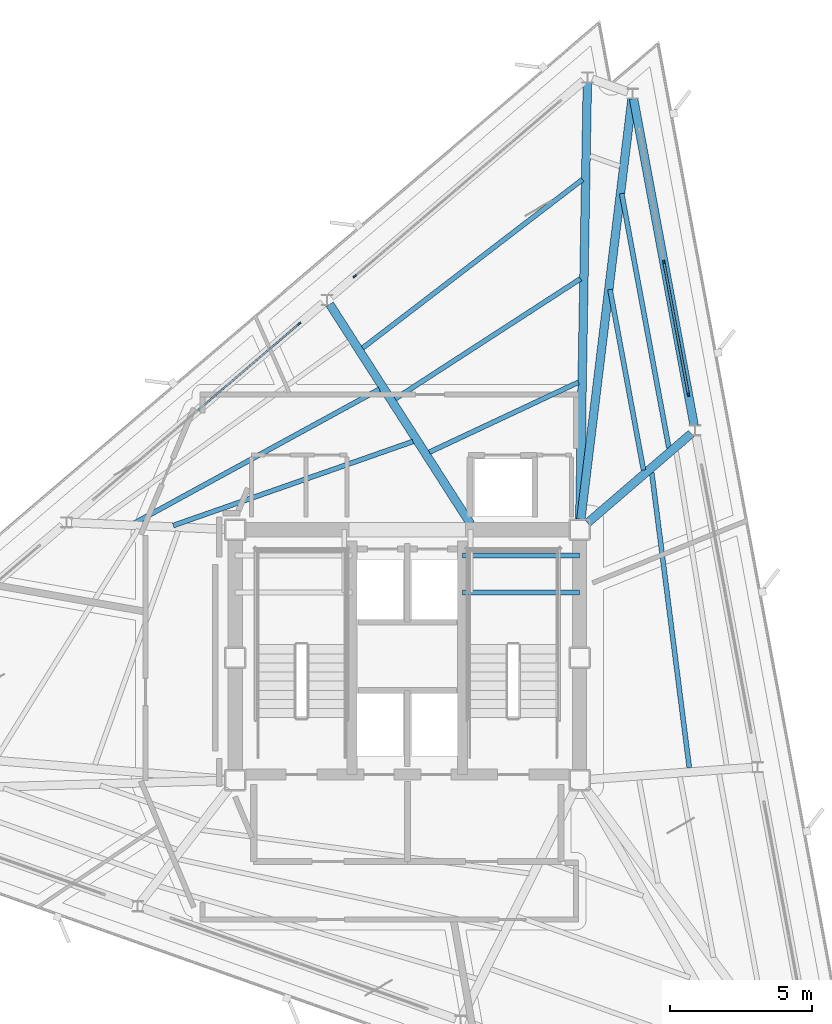
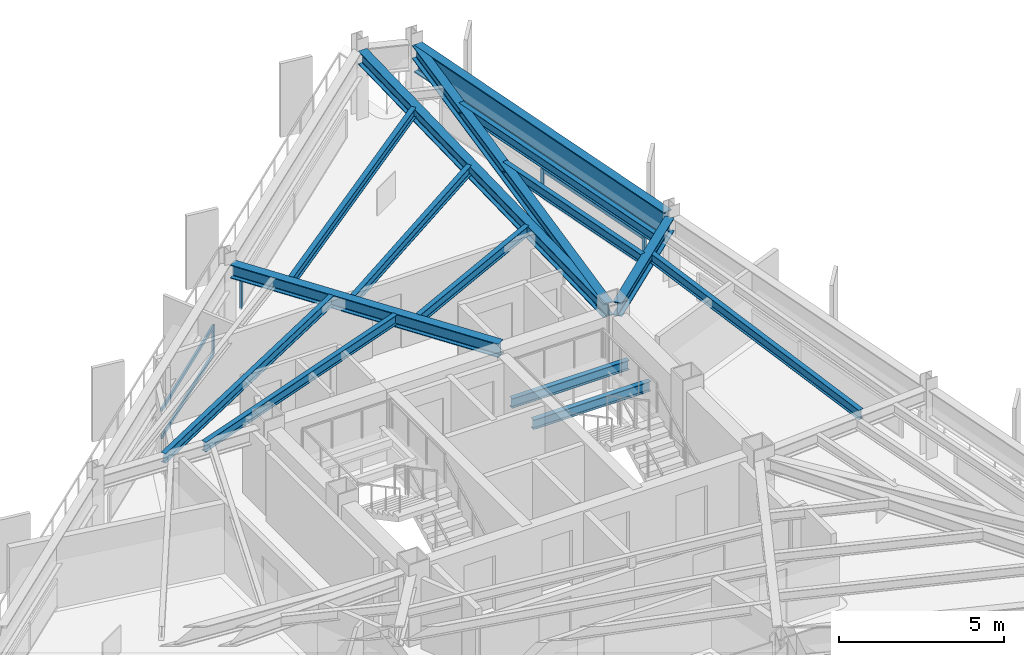
# One storey, part 5 of 14: 15 beams, 8 members, 3 elements without a shape of their own.
"""IFC4 building model written with IfcOpenShell, lengths in metres."""

from ifc_helpers import new_model, si_unit, direction, frame, origin, origin_2d, place, context, subcontext, project, spatial, rectangle, i_section, extrude, material, layer, layer_set, material_profile, profile_set, type_object, element, aggregate, save


model = new_model("IFC4")

# Units and contexts
model_context = context("Model", 3, precision=1e-05, world=origin(), true_north=direction((0.0, 1.0)))
body_context = subcontext(model_context, "Body", "Model", "MODEL_VIEW")
ifc_project = project(units=[si_unit("LENGTHUNIT", "METRE"), si_unit("AREAUNIT", "SQUARE_METRE"), si_unit("VOLUMEUNIT", "CUBIC_METRE"), si_unit("PLANEANGLEUNIT", "RADIAN"), si_unit("MASSUNIT", "GRAM", prefix="KILO")], contexts=[model_context])

# Site, building, storey
site_placement = place(None, origin())
site = spatial("IfcSite", under=ifc_project, at=site_placement, CompositionType="ELEMENT")
building_placement = place(site_placement, origin())
building = spatial("IfcBuilding", under=site, at=building_placement, Name="Rocaltana Carrier Exchange", CompositionType="ELEMENT")
storey_placement = place(building_placement, frame((0.0, 0.0, 190.56005859375)))
storey = spatial("IfcBuildingStorey", under=building, at=storey_placement, Name="L60", CompositionType="ELEMENT", Elevation=190.56005859375)

# Curtain wall, members
ifc_material_1 = material(Name="Aluminium 6063-T6", Category="aluminium")
ifc_layer = layer(ifc_material_1, 0.135009765625)
ifc_layer_set = layer_set([ifc_layer], Name="Aluminium 6063-T6")
curtain_wall_type = type_object("IfcCurtainWallType", Name="Upper-Mid Acoustic Curtain Wall CW-04", PredefinedType="NOTDEFINED", material=ifc_layer_set)
curtain_wall_1_placement = place(storey_placement, origin())
curtain_wall_1 = element("IfcCurtainWall", 1, at=curtain_wall_1_placement, inside=storey, type_object=curtain_wall_type, Name="L60 CW-04 Run CW-L60-F1S3", PredefinedType="NOTDEFINED")
ifc_material_2 = material(Name="Aluminium 6063-T6", Category="aluminium")
ifc_material_profile_1 = material_profile(ifc_material_2, rectangle(XDim=0.06494140625, YDim=0.135009765625, at=origin_2d()), Name="AL-65X135")
ifc_profile_set_1 = profile_set([ifc_material_profile_1], Name="Aluminium 6063-T6")
member_type_1 = type_object("IfcMemberType", Name="CW-04 Mullion AL-65X135", PredefinedType="MULLION", material=ifc_profile_set_1)
member_1_placement = place(storey_placement, frame((9.873046875, 9.25341796875, 0.0), z_axis=(0.0, 0.0, 1.0), x_axis=(-0.983254796134, -0.182236126712, 0.0)))
member_1 = element("IfcMember", 2, at=member_1_placement, type_object=member_type_1, Name="CW-04 mullion 1", PredefinedType="MULLION", context=body_context, shape_type="SweptSolid", body=[
    extrude(rectangle(XDim=0.06494140625, YDim=0.135009765625, at=origin_2d()), origin(), (0.0, 0.0, 1.0), 1.077880859375),
])
member_2_placement = place(storey_placement, frame((9.01025390625, 13.908203125, 0.0), z_axis=(0.0, 0.0, 1.0), x_axis=(-0.983254796134, -0.182236126712, 0.0)))
member_2 = element("IfcMember", 3, at=member_2_placement, type_object=member_type_1, Name="CW-04 mullion 2", PredefinedType="MULLION", context=body_context, shape_type="SweptSolid", body=[
    extrude(rectangle(XDim=0.06494140625, YDim=0.135009765625, at=origin_2d()), origin(), (0.0, 0.0, 1.0), 1.077880859375),
])

# Curtain wall, member
curtain_wall_2_placement = place(storey_placement, origin())
curtain_wall_2 = element("IfcCurtainWall", 4, at=curtain_wall_2_placement, inside=storey, type_object=curtain_wall_type, Name="L60 CW-04 Run CW-L60-F2S1", PredefinedType="NOTDEFINED")
member_3_placement = place(storey_placement, frame((-1.849365234375, 13.404541015625, 0.0), z_axis=(0.0, 0.0, 1.0), x_axis=(0.649447944918, -0.760406053922, 0.0)))
member_3 = element("IfcMember", 5, at=member_3_placement, type_object=member_type_1, Name="CW-04 mullion 3", PredefinedType="MULLION", context=body_context, shape_type="SweptSolid", body=[
    extrude(rectangle(XDim=0.06494140625, YDim=0.135009765625, at=origin_2d()), origin(), (0.0, 0.0, 1.0), 1.077880859375),
])
aggregate(curtain_wall_2, [member_3])

curtain_wall_3_placement = place(storey_placement, origin())
curtain_wall_3 = element("IfcCurtainWall", 6, at=curtain_wall_3_placement, inside=storey, type_object=curtain_wall_type, Name="L60 CW-04 Run CW-L60-F2S2", PredefinedType="NOTDEFINED")
member_4_placement = place(storey_placement, frame((-3.7998046875, 11.73876953125, 0.0), z_axis=(0.0, 0.0, 1.0), x_axis=(0.649454010067, -0.760400873756, 0.0)))
member_4 = element("IfcMember", 7, at=member_4_placement, type_object=member_type_1, Name="CW-04 mullion 1", PredefinedType="MULLION", context=body_context, shape_type="SweptSolid", body=[
    extrude(rectangle(XDim=0.06494140625, YDim=0.135009765625, at=origin_2d()), origin(), (0.0, 0.0, 1.0), 1.077880859375),
])

# Member
ifc_material_3 = material(Name="Aluminium 6063-T6", Category="aluminium")
ifc_material_profile_2 = material_profile(ifc_material_3, rectangle(XDim=0.06494140625, YDim=0.135009765625, at=origin_2d()), Name="AL-65X135")
ifc_profile_set_2 = profile_set([ifc_material_profile_2], Name="Aluminium 6063-T6")
member_type_2 = type_object("IfcMemberType", Name="CW-04 Transom AL-65X135", PredefinedType="USERDEFINED", material=ifc_profile_set_2)
member_5_placement = place(storey_placement, frame((9.866943359375, 9.285400390625, 0.032470703125), z_axis=(-0.182229691605, 0.983255988793, 0.0), x_axis=(-0.983255988793, -0.182229691605, 0.0)))
member_5 = element("IfcMember", 8, at=member_5_placement, type_object=member_type_2, Name="CW-04 transom 1.1", ObjectType="TRANSOM", PredefinedType="USERDEFINED", context=body_context, shape_type="SweptSolid", body=[
    extrude(rectangle(XDim=0.06494140625, YDim=0.135009765625, at=origin_2d()), origin(), (0.0, 0.0, 1.0), 4.6689453125),
])

member_6_placement = place(storey_placement, frame((9.866943359375, 9.285400390625, 1.04541015625), z_axis=(-0.182229691605, 0.983255988793, 0.0), x_axis=(-0.983255988793, -0.182229691605, 0.0)))
member_6 = element("IfcMember", 9, at=member_6_placement, type_object=member_type_2, Name="CW-04 transom 1.2", ObjectType="TRANSOM", PredefinedType="USERDEFINED", context=body_context, shape_type="SweptSolid", body=[
    extrude(rectangle(XDim=0.06494140625, YDim=0.135009765625, at=origin_2d()), origin(), (0.0, 0.0, 1.0), 4.6689453125),
])

aggregate(curtain_wall_1, [member_1, member_2, member_5, member_6])

member_7_placement = place(storey_placement, frame((-3.82470703125, 11.717529296875, 0.032470703125), z_axis=(-0.760381209804, -0.649477032525, 0.0), x_axis=(0.649477032525, -0.760381209804, 0.0)))
member_7 = element("IfcMember", 10, at=member_7_placement, type_object=member_type_2, Name="CW-04 transom 1.1", ObjectType="TRANSOM", PredefinedType="USERDEFINED", context=body_context, shape_type="SweptSolid", body=[
    extrude(rectangle(XDim=0.06494140625, YDim=0.135009765625, at=origin_2d()), origin(), (0.0, 0.0, 1.0), 4.669189453125),
])

member_8_placement = place(storey_placement, frame((-3.82470703125, 11.717529296875, 1.04541015625), z_axis=(-0.760381209804, -0.649477032525, 0.0), x_axis=(0.649477032525, -0.760381209804, 0.0)))
member_8 = element("IfcMember", 11, at=member_8_placement, type_object=member_type_2, Name="CW-04 transom 1.2", ObjectType="TRANSOM", PredefinedType="USERDEFINED", context=body_context, shape_type="SweptSolid", body=[
    extrude(rectangle(XDim=0.06494140625, YDim=0.135009765625, at=origin_2d()), origin(), (0.0, 0.0, 1.0), 4.669189453125),
])

aggregate(curtain_wall_3, [member_4, member_7, member_8])

# Beams
ifc_material_4 = material(Name="Steel S355", Category="steel")
ifc_material_profile_3 = material_profile(ifc_material_4, i_section(OverallWidth=0.172119140625, OverallDepth=0.35791015625, WebThickness=0.0078125, FlangeThickness=0.01318359375, FilletRadius=0.011962890625, at=origin_2d()), Name="W14X38")
ifc_profile_set_3 = profile_set([ifc_material_profile_3], Name="Steel S355")
beam_type_1 = type_object("IfcBeamType", Name="Floor Joist W14X38", PredefinedType="JOIST", material=ifc_profile_set_3)
for number, where, z_axis, x_axis, name in (
    (12, (1.93994140625, 2.300048828125, 1.140869140625), (1.0, 0.0, 0.0), (0.0, 1.0, 0.0), "L60 ST-2 Landing Carrier 1"),
    (13, (1.93994140625, 3.60009765625, 1.140869140625), (1.0, 0.0, 0.0), (0.0, 1.0, 0.0), "L60 ST-2 Landing Carrier 2"),
):
    element("IfcBeam", number, at=place(storey_placement, frame(where, z_axis=z_axis, x_axis=x_axis)), inside=storey, type_object=beam_type_1, Name=name, PredefinedType="JOIST", context=body_context, shape_type="SweptSolid", body=[
        extrude(i_section(OverallWidth=0.172119140625, OverallDepth=0.35791015625, WebThickness=0.0078125, FlangeThickness=0.01318359375, FilletRadius=0.011962890625, at=origin_2d()), origin(), (0.0, 0.0, 1.0), 4.110107421875),
    ])
beam_1_placement = place(storey_placement, frame((9.906494140625, -3.87158203125, 2.43896484375), z_axis=(-0.126288464716, 0.991993560301, 0.0), x_axis=(-0.991993560301, -0.126288464716, 0.0)))
element("IfcBeam", 14, at=beam_1_placement, inside=storey, type_object=beam_type_1, Name="FJ-L60-02-2", PredefinedType="JOIST", context=body_context, shape_type="SweptSolid", body=[
    extrude(i_section(OverallWidth=0.172119140625, OverallDepth=0.35791015625, WebThickness=0.0078125, FlangeThickness=0.01318359375, FilletRadius=0.011962890625, at=origin_2d()), origin(), (0.0, 0.0, 1.0), 10.47802734375),
])
beam_2_placement = place(storey_placement, frame((8.29541015625, 6.597412109375, 2.43896484375), z_axis=(-0.182201749781, 0.983261166922, 0.0), x_axis=(-0.983261166922, -0.182201749781, 0.0)))
element("IfcBeam", 15, at=beam_2_placement, inside=storey, type_object=beam_type_1, Name="FJ-L60-03-2", PredefinedType="JOIST", context=body_context, shape_type="SweptSolid", body=[
    extrude(i_section(OverallWidth=0.172119140625, OverallDepth=0.35791015625, WebThickness=0.0078125, FlangeThickness=0.01318359375, FilletRadius=0.011962890625, at=origin_2d()), origin(), (0.0, 0.0, 1.0), 6.450439453125),
])
beam_3_placement = place(storey_placement, frame((9.18798828125, 7.365478515625, 2.43896484375), z_axis=(-0.18223051112, 0.98325583691, 0.0), x_axis=(-0.98325583691, -0.18223051112, 0.0)))
element("IfcBeam", 16, at=beam_3_placement, inside=storey, type_object=beam_type_1, Name="FJ-L60-03-3", PredefinedType="JOIST", context=body_context, shape_type="SweptSolid", body=[
    extrude(i_section(OverallWidth=0.172119140625, OverallDepth=0.35791015625, WebThickness=0.0078125, FlangeThickness=0.01318359375, FilletRadius=0.011962890625, at=origin_2d()), origin(), (0.0, 0.0, 1.0), 9.09814453125),
])
beam_4_placement = place(storey_placement, frame((6.010498046875, 9.681396484375, 2.43896484375), z_axis=(-0.905370731106, -0.42462199573, 0.0), x_axis=(0.42462199573, -0.905370731106, 0.0)))
element("IfcBeam", 17, at=beam_4_placement, inside=storey, type_object=beam_type_1, Name="FJ-L60-05-1", PredefinedType="JOIST", context=body_context, shape_type="SweptSolid", body=[
    extrude(i_section(OverallWidth=0.172119140625, OverallDepth=0.35791015625, WebThickness=0.0078125, FlangeThickness=0.01318359375, FilletRadius=0.011962890625, at=origin_2d()), origin(), (0.0, 0.0, 1.0), 5.78515625),
])
beam_5_placement = place(storey_placement, frame((6.08349609375, 13.318115234375, 2.43896484375), z_axis=(-0.839155380269, -0.543891761075, 0.0), x_axis=(0.543891761075, -0.839155380269, 0.0)))
element("IfcBeam", 18, at=beam_5_placement, inside=storey, type_object=beam_type_1, Name="FJ-L60-05-2", PredefinedType="JOIST", context=body_context, shape_type="SweptSolid", body=[
    extrude(i_section(OverallWidth=0.172119140625, OverallDepth=0.35791015625, WebThickness=0.0078125, FlangeThickness=0.01318359375, FilletRadius=0.011962890625, at=origin_2d()), origin(), (0.0, 0.0, 1.0), 7.75830078125),
])
beam_6_placement = place(storey_placement, frame((6.150634765625, 16.803955078125, 2.43896484375), z_axis=(-0.793620898392, -0.608412581753, 0.0), x_axis=(0.608412581753, -0.793620898392, 0.0)))
element("IfcBeam", 19, at=beam_6_placement, inside=storey, type_object=beam_type_1, Name="FJ-L60-05-3", PredefinedType="JOIST", context=body_context, shape_type="SweptSolid", body=[
    extrude(i_section(OverallWidth=0.172119140625, OverallDepth=0.35791015625, WebThickness=0.0078125, FlangeThickness=0.01318359375, FilletRadius=0.011962890625, at=origin_2d()), origin(), (0.0, 0.0, 1.0), 9.73095703125),
])
beam_7_placement = place(storey_placement, frame((0.196044921875, 7.600341796875, 2.43896484375), z_axis=(-0.943672237623, -0.330881712913, 0.0), x_axis=(0.330881712913, -0.943672237623, 0.0)))
element("IfcBeam", 20, at=beam_7_placement, inside=storey, type_object=beam_type_1, Name="FJ-L60-06-1", PredefinedType="JOIST", context=body_context, shape_type="SweptSolid", body=[
    extrude(i_section(OverallWidth=0.172119140625, OverallDepth=0.35791015625, WebThickness=0.0078125, FlangeThickness=0.01318359375, FilletRadius=0.011962890625, at=origin_2d()), origin(), (0.0, 0.0, 1.0), 8.923583984375),
])
beam_8_placement = place(storey_placement, frame((-0.984619140625, 9.435302734375, 2.43896484375), z_axis=(-0.877487444281, -0.479599609184, 0.0), x_axis=(0.479599609184, -0.877487444281, 0.0)))
element("IfcBeam", 21, at=beam_8_placement, inside=storey, type_object=beam_type_1, Name="FJ-L60-06-2", PredefinedType="JOIST", context=body_context, shape_type="SweptSolid", body=[
    extrude(i_section(OverallWidth=0.172119140625, OverallDepth=0.35791015625, WebThickness=0.0078125, FlangeThickness=0.01318359375, FilletRadius=0.011962890625, at=origin_2d()), origin(), (0.0, 0.0, 1.0), 9.81494140625),
])
ifc_material_5 = material(Name="Steel S460", Category="steel")
ifc_material_profile_4 = material_profile(ifc_material_5, i_section(OverallWidth=0.302001953125, OverallDepth=1.008056640625, WebThickness=0.02099609375, FlangeThickness=0.0400390625, FilletRadius=0.030029296875, at=origin_2d()), Name="HEM1000")
ifc_profile_set_4 = profile_set([ifc_material_profile_4], Name="Steel S460")
beam_type_2 = type_object("IfcBeamType", Name="Transfer Ring Girder HEM1000", PredefinedType="USERDEFINED", material=ifc_profile_set_4)
beam_9_placement = place(storey_placement, frame((10.073974609375, 8.168701171875, 2.114013671875), z_axis=(-0.182230042117, 0.983255923832, 0.0), x_axis=(-0.983255923832, -0.182230042117, 0.0)))
element("IfcBeam", 22, at=beam_9_placement, inside=storey, type_object=beam_type_2, Name="SP-L60-03", ObjectType="TRANSFER GIRDER", PredefinedType="USERDEFINED", context=body_context, shape_type="SweptSolid", body=[
    extrude(i_section(OverallWidth=0.302001953125, OverallDepth=1.008056640625, WebThickness=0.02099609375, FlangeThickness=0.0400390625, FilletRadius=0.030029296875, at=origin_2d()), origin(), (0.0, 0.0, 1.0), 11.674560546875),
])
ifc_material_6 = material(Name="Steel S355", Category="steel")
ifc_material_profile_5 = material_profile(ifc_material_6, i_section(OverallWidth=0.300048828125, OverallDepth=0.5, WebThickness=0.014404296875, FlangeThickness=0.028076171875, FilletRadius=0.027099609375, at=origin_2d()), Name="HEB500")
ifc_profile_set_5 = profile_set([ifc_material_profile_5], Name="Steel S355")
beam_type_3 = type_object("IfcBeamType", Name="Upper Radial Girder HEB500", PredefinedType="BEAM", material=ifc_profile_set_5)
beam_10_placement = place(storey_placement, frame((6.328125, 4.739501953125, 2.367919921875), z_axis=(0.757863677977, 0.652412941015, 0.0), x_axis=(-0.652412941015, 0.757863677977, 0.0)))
element("IfcBeam", 23, at=beam_10_placement, inside=storey, type_object=beam_type_3, Name="RG-L60-03", PredefinedType="BEAM", context=body_context, shape_type="SweptSolid", body=[
    extrude(i_section(OverallWidth=0.300048828125, OverallDepth=0.5, WebThickness=0.014404296875, FlangeThickness=0.028076171875, FilletRadius=0.027099609375, at=origin_2d()), origin(), (0.0, 0.0, 1.0), 4.806396484375),
])
beam_11_placement = place(storey_placement, frame((6.09423828125, 4.8642578125, 2.367919921875), z_axis=(0.120736779948, 0.992684557132, 0.0), x_axis=(-0.992684557132, 0.120736779948, 0.0)))
element("IfcBeam", 24, at=beam_11_placement, inside=storey, type_object=beam_type_3, Name="RG-L60-04", PredefinedType="BEAM", context=body_context, shape_type="SweptSolid", body=[
    extrude(i_section(OverallWidth=0.300048828125, OverallDepth=0.5, WebThickness=0.014404296875, FlangeThickness=0.028076171875, FilletRadius=0.027099609375, at=origin_2d()), origin(), (0.0, 0.0, 1.0), 14.890625),
])
beam_12_placement = place(storey_placement, frame((6.056396484375, 4.866943359375, 2.367919921875), z_axis=(0.017344962451, 0.999849564823, 0.0), x_axis=(-0.999849564823, 0.017344962451, 0.0)))
element("IfcBeam", 25, at=beam_12_placement, inside=storey, type_object=beam_type_3, Name="RG-L60-05", PredefinedType="BEAM", context=body_context, shape_type="SweptSolid", body=[
    extrude(i_section(OverallWidth=0.300048828125, OverallDepth=0.5, WebThickness=0.014404296875, FlangeThickness=0.028076171875, FilletRadius=0.027099609375, at=origin_2d()), origin(), (0.0, 0.0, 1.0), 15.34228515625),
])
beam_13_placement = place(storey_placement, frame((2.219482421875, 4.70361328125, 2.367919921875), z_axis=(-0.539712580776, 0.841849351222, 0.0), x_axis=(-0.841849351222, -0.539712580776, 0.0)))
element("IfcBeam", 26, at=beam_13_placement, inside=storey, type_object=beam_type_3, Name="RG-L60-06", PredefinedType="BEAM", context=body_context, shape_type="SweptSolid", body=[
    extrude(i_section(OverallWidth=0.300048828125, OverallDepth=0.5, WebThickness=0.014404296875, FlangeThickness=0.028076171875, FilletRadius=0.027099609375, at=origin_2d()), origin(), (0.0, 0.0, 1.0), 9.16650390625),
])

save(model, "model.ifc")
